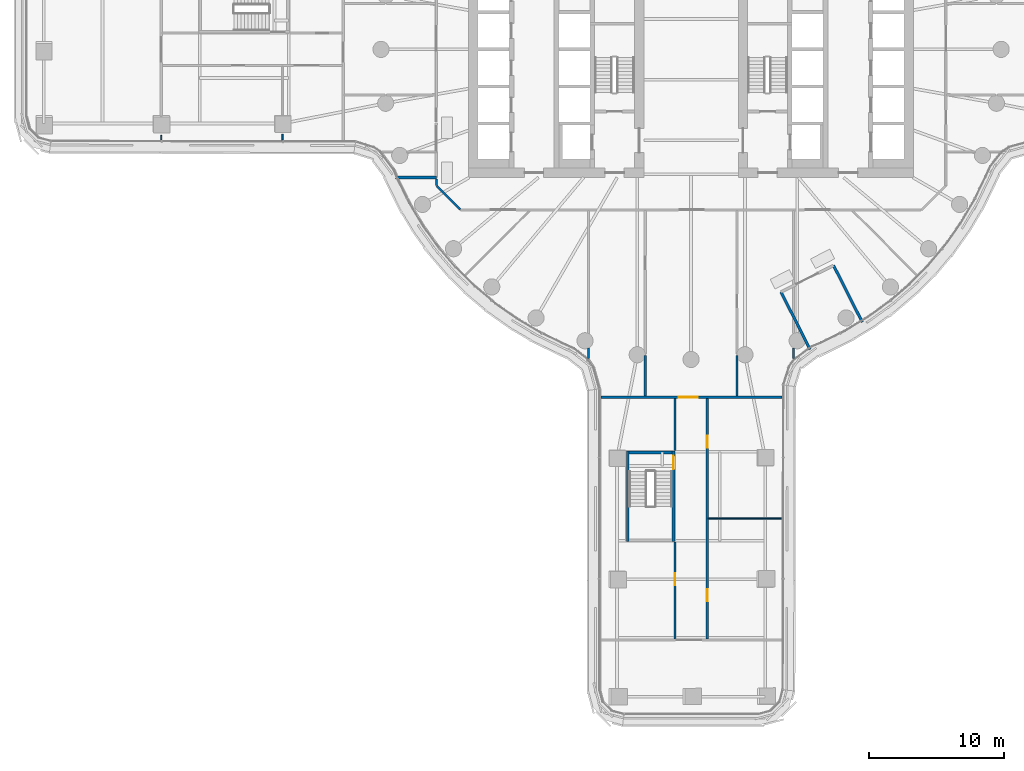
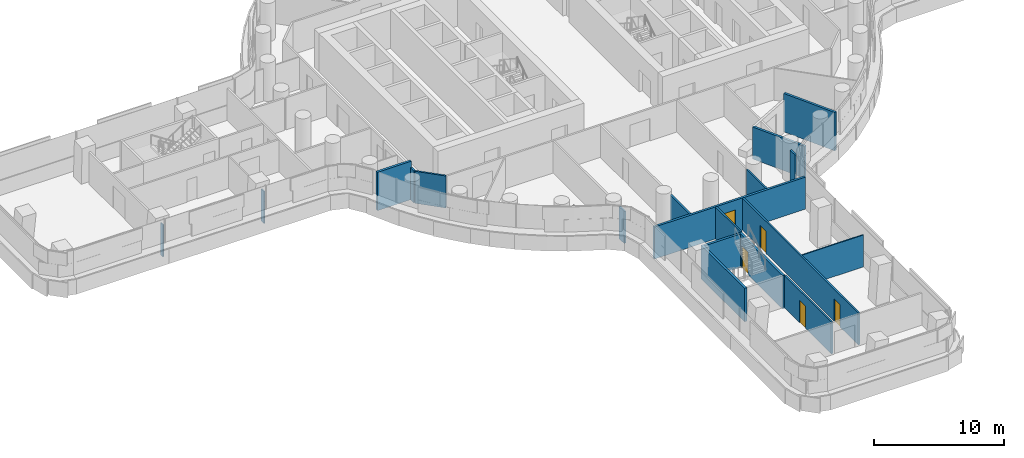
# One storey, part 19 of 32: 19 walls, 5 doors, 5 openings.
"""IFC4 building model written with IfcOpenShell, lengths in metres."""

from ifc_helpers import new_model, si_unit, direction, frame, frame_2d, origin, place, context, subcontext, project, spatial, rectangle, extrude, material, layer, layer_set, type_object, element, fill, save


model = new_model("IFC4")

# Units and contexts
model_context = context("Model", 3, precision=1e-05, world=origin(), true_north=direction((0.0, 1.0)))
body_context = subcontext(model_context, "Body", "Model", "MODEL_VIEW")
ifc_project = project(units=[si_unit("LENGTHUNIT", "METRE"), si_unit("AREAUNIT", "SQUARE_METRE"), si_unit("VOLUMEUNIT", "CUBIC_METRE"), si_unit("PLANEANGLEUNIT", "RADIAN"), si_unit("MASSUNIT", "GRAM", prefix="KILO")], contexts=[model_context])

# Site, building, storey
site_placement = place(None, origin())
site = spatial("IfcSite", under=ifc_project, at=site_placement, CompositionType="ELEMENT")
building_placement = place(site_placement, origin())
building = spatial("IfcBuilding", under=site, at=building_placement, Name="Tamarind Cross Interchange Tower", CompositionType="ELEMENT")
storey_placement = place(building_placement, frame((0.0, 0.0, 34.0)))
storey = spatial("IfcBuildingStorey", under=building, at=storey_placement, Name="L06", CompositionType="ELEMENT", Elevation=34.0)

# Walls
ifc_material_1 = material(Name="Concrete C40", Category="concrete")
ifc_layer_1 = layer(ifc_material_1, 0.199951171875)
ifc_layer_set_1 = layer_set([ifc_layer_1], Name="Concrete C40")
wall_type_1 = type_object("IfcWallType", Name="Balcony and garden door wall", PredefinedType="SOLIDWALL", material=ifc_layer_set_1)
wall_1_placement = place(storey_placement, frame((6.66943359375, -17.99365234375, 0.0), z_axis=(0.0, 0.0, 1.0), x_axis=(0.451625718362, -0.892207492971, 0.0)))
element("IfcWall", 1, at=wall_1_placement, inside=storey, type_object=wall_type_1, Name="EXW-L06-WG-L06-SE-R0", PredefinedType="SOLIDWALL", context=body_context, shape_type="SweptSolid", body=[
    extrude(rectangle(XDim=4.77490234375, YDim=0.199951171875, at=frame_2d((2.387451171875, 0.0))), origin(), (0.0, 0.0, 1.0), 3.013916015625),
])
wall_2_placement = place(storey_placement, frame((10.56591796875, -16.021484375, 0.0), z_axis=(0.0, 0.0, 1.0), x_axis=(0.451621797864, -0.892209477474, 0.0)))
element("IfcWall", 2, at=wall_2_placement, inside=storey, type_object=wall_type_1, Name="EXW-L06-WG-L06-SE-R1", PredefinedType="SOLIDWALL", context=body_context, shape_type="SweptSolid", body=[
    extrude(rectangle(XDim=4.712890625, YDim=0.199951171875, at=frame_2d((2.3564453125, 0.0))), origin(), (0.0, 0.0, 1.0), 3.610107421875),
])
wall_3_placement = place(storey_placement, frame((-18.89990234375, -9.5, 0.0), z_axis=(0.0, 0.0, 1.0), x_axis=(-1.0, 0.0, 0.0)))
element("IfcWall", 3, at=wall_3_placement, inside=storey, type_object=wall_type_1, Name="EXW-L06-WG-L06-WS-R0", PredefinedType="SOLIDWALL", context=body_context, shape_type="SweptSolid", body=[
    extrude(rectangle(XDim=3.027587890625, YDim=0.199951171875, at=frame_2d((1.513671875, 0.0))), origin(), (0.0, 0.0, 1.0), 3.610107421875),
])
ifc_material_2 = material(Name="Gypsum board partition on steel studs", Category="steel")
ifc_layer_2 = layer(ifc_material_2, 0.10009765625)
ifc_layer_set_2 = layer_set([ifc_layer_2], Name="Gypsum board partition on steel studs")
wall_type_2 = type_object("IfcWallType", Name="Partition 100 mm EI 90", PredefinedType="PARTITIONING", material=ifc_layer_set_2)
wall_4_placement = place(storey_placement, frame((1.260009765625, -34.800048828125, 0.0), z_axis=(0.0, 0.0, 1.0), x_axis=(1.0, 0.0, 0.0)))
element("IfcWall", 4, at=wall_4_placement, inside=storey, type_object=wall_type_2, Name="Partition L06-039", PredefinedType="PARTITIONING", context=body_context, shape_type="SweptSolid", body=[
    extrude(rectangle(XDim=5.4638671875, YDim=0.10009765625, at=frame_2d((2.73193359375, 0.0))), origin(), (0.0, 0.0, 1.0), 3.010009765625),
])
wall_5_placement = place(storey_placement, frame((-39.300048828125, -6.715087890625, 0.0), z_axis=(0.0, 0.0, 1.0), x_axis=(0.0, 1.0, 0.0)))
element("IfcWall", 5, at=wall_5_placement, inside=storey, type_object=wall_type_2, Name="Partition L06-044", PredefinedType="PARTITIONING", context=body_context, shape_type="SweptSolid", body=[
    extrude(rectangle(XDim=0.341796875, YDim=0.10009765625, at=frame_2d((0.1708984375, 0.0))), origin(), (0.0, 0.0, 1.0), 3.010009765625),
])
wall_6_placement = place(storey_placement, frame((-30.300048828125, -6.73291015625, 0.0), z_axis=(0.0, 0.0, 1.0), x_axis=(0.0, 1.0, 0.0)))
element("IfcWall", 6, at=wall_6_placement, inside=storey, type_object=wall_type_2, Name="Partition L06-047", PredefinedType="PARTITIONING", context=body_context, shape_type="SweptSolid", body=[
    extrude(rectangle(XDim=0.44140625, YDim=0.10009765625, at=frame_2d((0.220703125, 0.0))), origin(), (0.0, 0.0, 1.0), 3.010009765625),
])
ifc_layer_3 = layer(ifc_material_2, 0.14990234375)
ifc_layer_set_3 = layer_set([ifc_layer_3], Name="Gypsum board partition on steel studs")
wall_type_3 = type_object("IfcWallType", Name="Partition 150 mm EI 120", PredefinedType="PARTITIONING", material=ifc_layer_set_3)
wall_7_placement = place(storey_placement, frame((-18.87158203125, -10.12841796875, 0.0), z_axis=(0.0, 0.0, 1.0), x_axis=(0.707106781187, -0.707106781187, 0.0)))
element("IfcWall", 7, at=wall_7_placement, inside=storey, type_object=wall_type_3, Name="Partition L06-001", PredefinedType="PARTITIONING", context=body_context, shape_type="SweptSolid", body=[
    extrude(rectangle(XDim=2.465087890625, YDim=0.14990234375, at=frame_2d((1.232421875, 0.0))), origin(), (0.0, 0.0, 1.0), 3.010009765625),
])
wall_8_placement = place(storey_placement, frame((-18.89990234375, -10.10009765625, 0.0), z_axis=(0.0, 0.0, 1.0), x_axis=(0.0, 1.0, 0.0)))
element("IfcWall", 8, at=wall_8_placement, inside=storey, type_object=wall_type_3, Name="Partition L06-050", PredefinedType="PARTITIONING", context=body_context, shape_type="SweptSolid", body=[
    extrude(rectangle(XDim=0.500244140625, YDim=0.14990234375, at=frame_2d((0.25, 0.0))), origin(), (0.0, 0.0, 1.0), 3.010009765625),
])
wall_9_placement = place(storey_placement, frame((-7.60009765625, -22.920654296875, 0.0), z_axis=(0.0, 0.0, 1.0), x_axis=(0.0, 1.0, 0.0)))
element("IfcWall", 9, at=wall_9_placement, inside=storey, type_object=wall_type_3, Name="Partition L06-052", PredefinedType="PARTITIONING", context=body_context, shape_type="SweptSolid", body=[
    extrude(rectangle(XDim=0.76904296875, YDim=0.14990234375, at=frame_2d((0.384521484375, 0.0))), origin(), (0.0, 0.0, 1.0), 3.010009765625),
])
wall_10_placement = place(storey_placement, frame((-3.39990234375, -25.715087890625, 0.0), z_axis=(0.0, 0.0, 1.0), x_axis=(0.0, 1.0, 0.0)))
element("IfcWall", 10, at=wall_10_placement, inside=storey, type_object=wall_type_3, Name="Partition L06-057", PredefinedType="PARTITIONING", context=body_context, shape_type="SweptSolid", body=[
    extrude(rectangle(XDim=3.00439453125, YDim=0.14990234375, at=frame_2d((1.502197265625, 0.0))), origin(), (0.0, 0.0, 1.0), 3.010009765625),
])

# Wall, opening, door
wall_11_placement = place(storey_placement, frame((-1.199951171875, -43.739990234375, 0.0), z_axis=(0.0, 0.0, 1.0), x_axis=(0.0, 1.0, 0.0)))
wall_11 = element("IfcWall", 11, at=wall_11_placement, inside=storey, type_object=wall_type_3, Name="Partition L06-061", PredefinedType="PARTITIONING", context=body_context, shape_type="SweptSolid", body=[
    extrude(rectangle(XDim=7.199951171875, YDim=0.14990234375, at=frame_2d((3.60009765625, 0.0))), origin(), (0.0, 0.0, 1.0), 3.010009765625),
])
opening_1_placement = place(wall_11_placement, frame((3.989990234375, 0.0, 0.0)))
opening_1 = element("IfcOpeningElement", 12, at=opening_1_placement, cuts=wall_11, Name="Opening D26", PredefinedType="OPENING", context=body_context, shape_type="SweptSolid", body=[
    extrude(rectangle(XDim=0.89990234375, YDim=2.10009765625, at=frame_2d((0.449951171875, 1.050048828125))), frame((0.0, 0.0849609375, 0.0), z_axis=(0.0, -1.0, 0.0), x_axis=(1.0, 0.0, 0.0)), (0.0, 0.0, 1.0), 0.169921875),
])
ifc_material_3 = material(Name="Fire-resisting door set")
door_type_1 = type_object("IfcDoorType", Name="Interior door 900 x 2100 FD60S", OperationType="SINGLE_SWING_LEFT", PredefinedType="DOOR", material=ifc_material_3)
door_1_placement = place(opening_1_placement, origin())
door_1 = element("IfcDoor", 13, at=door_1_placement, inside=storey, type_object=door_type_1, Name="Door D26", OperationType="SINGLE_SWING_LEFT", OverallHeight=2.10009765625, OverallWidth=0.89990234375, PredefinedType="DOOR", context=body_context, shape_type="SweptSolid", body=[
    extrude(rectangle(XDim=0.89990234375, YDim=2.10009765625, at=frame_2d((0.449951171875, 1.050048828125))), frame((0.0, 0.02490234375, 0.0), z_axis=(0.0, -1.0, 0.0), x_axis=(1.0, 0.0, 0.0)), (0.0, 0.0, 1.0), 0.050048828125),
])
fill(opening_1, door_1)

# Wall
wall_12_placement = place(storey_placement, frame((-1.199951171875, -29.760009765625, 0.0), z_axis=(0.0, 0.0, 1.0), x_axis=(0.0, 1.0, 0.0)))
element("IfcWall", 14, at=wall_12_placement, inside=storey, type_object=wall_type_3, Name="Partition L06-062", PredefinedType="PARTITIONING", context=body_context, shape_type="SweptSolid", body=[
    extrude(rectangle(XDim=3.875, YDim=0.14990234375, at=frame_2d((1.9375, 0.0))), origin(), (0.0, 0.0, 1.0), 3.010009765625),
])

# Wall, openings, doors
wall_13_placement = place(storey_placement, frame((1.199951171875, -43.739990234375, 0.0), z_axis=(0.0, 0.0, 1.0), x_axis=(0.0, 1.0, 0.0)))
wall_13 = element("IfcWall", 15, at=wall_13_placement, inside=storey, type_object=wall_type_3, Name="Partition L06-064", PredefinedType="PARTITIONING", context=body_context, shape_type="SweptSolid", body=[
    extrude(rectangle(XDim=17.85498046875, YDim=0.14990234375, at=frame_2d((8.927490234375, 0.0))), origin(), (0.0, 0.0, 1.0), 3.010009765625),
])
opening_2_placement = place(wall_13_placement, frame((14.18994140625, 0.0, 0.0)))
opening_2 = element("IfcOpeningElement", 16, at=opening_2_placement, cuts=wall_13, Name="Opening D30", PredefinedType="OPENING", context=body_context, shape_type="SweptSolid", body=[
    extrude(rectangle(XDim=0.89990234375, YDim=2.10009765625, at=frame_2d((0.449951171875, 1.050048828125))), frame((0.0, 0.0849609375, 0.0), z_axis=(0.0, -1.0, 0.0), x_axis=(1.0, 0.0, 0.0)), (0.0, 0.0, 1.0), 0.169921875),
])
opening_3_placement = place(wall_13_placement, frame((2.7900390625, 0.0, 0.0)))
opening_3 = element("IfcOpeningElement", 17, at=opening_3_placement, cuts=wall_13, Name="Opening D31", PredefinedType="OPENING", context=body_context, shape_type="SweptSolid", body=[
    extrude(rectangle(XDim=0.89990234375, YDim=2.10009765625, at=frame_2d((0.449951171875, 1.050048828125))), frame((0.0, 0.0849609375, 0.0), z_axis=(0.0, -1.0, 0.0), x_axis=(1.0, 0.0, 0.0)), (0.0, 0.0, 1.0), 0.169921875),
])
door_2_placement = place(opening_2_placement, frame((0.89990234375, 0.0, 0.0), z_axis=(0.0, 0.0, 1.0), x_axis=(-1.0, 0.0, 0.0)))
door_2 = element("IfcDoor", 18, at=door_2_placement, inside=storey, type_object=door_type_1, Name="Door D30", OperationType="SINGLE_SWING_RIGHT", OverallHeight=2.10009765625, OverallWidth=0.89990234375, PredefinedType="DOOR", context=body_context, shape_type="SweptSolid", body=[
    extrude(rectangle(XDim=0.89990234375, YDim=2.10009765625, at=frame_2d((0.449951171875, 1.050048828125))), frame((0.0, 0.02490234375, 0.0), z_axis=(0.0, -1.0, 0.0), x_axis=(1.0, 0.0, 0.0)), (0.0, 0.0, 1.0), 0.050048828125),
])
fill(opening_2, door_2)
door_3_placement = place(opening_3_placement, frame((0.89990234375, 0.0, 0.0), z_axis=(0.0, 0.0, 1.0), x_axis=(-1.0, 0.0, 0.0)))
door_3 = element("IfcDoor", 19, at=door_3_placement, inside=storey, type_object=door_type_1, Name="Door D31", OperationType="SINGLE_SWING_LEFT", OverallHeight=2.10009765625, OverallWidth=0.89990234375, PredefinedType="DOOR", context=body_context, shape_type="SweptSolid", body=[
    extrude(rectangle(XDim=0.89990234375, YDim=2.10009765625, at=frame_2d((0.449951171875, 1.050048828125))), frame((0.0, 0.02490234375, 0.0), z_axis=(0.0, -1.0, 0.0), x_axis=(1.0, 0.0, 0.0)), (0.0, 0.0, 1.0), 0.050048828125),
])
fill(opening_3, door_3)

# Walls
wall_14_placement = place(storey_placement, frame((3.39990234375, -25.715087890625, 0.0), z_axis=(0.0, 0.0, 1.0), x_axis=(0.0, 1.0, 0.0)))
element("IfcWall", 20, at=wall_14_placement, inside=storey, type_object=wall_type_3, Name="Partition L06-068", PredefinedType="PARTITIONING", context=body_context, shape_type="SweptSolid", body=[
    extrude(rectangle(XDim=3.00439453125, YDim=0.14990234375, at=frame_2d((1.502197265625, 0.0))), origin(), (0.0, 0.0, 1.0), 3.010009765625),
])
wall_15_placement = place(storey_placement, frame((7.60009765625, -22.921875, 0.0), z_axis=(0.0, 0.0, 1.0), x_axis=(0.0, 1.0, 0.0)))
element("IfcWall", 21, at=wall_15_placement, inside=storey, type_object=wall_type_3, Name="Partition L06-072", PredefinedType="PARTITIONING", context=body_context, shape_type="SweptSolid", body=[
    extrude(rectangle(XDim=0.770263671875, YDim=0.14990234375, at=frame_2d((0.38525390625, 0.0))), origin(), (0.0, 0.0, 1.0), 3.010009765625),
])

# Wall, opening, door
ifc_layer_4 = layer(ifc_material_2, 0.199951171875)
ifc_layer_set_4 = layer_set([ifc_layer_4], Name="Gypsum board partition on steel studs")
wall_type_4 = type_object("IfcWallType", Name="Partition 200 mm EI 180", PredefinedType="PARTITIONING", material=ifc_layer_set_4)
wall_16_placement = place(storey_placement, frame((-6.698974609375, -25.800048828125, 0.0), z_axis=(0.0, 0.0, 1.0), x_axis=(1.0, 0.0, 0.0)))
wall_16 = element("IfcWall", 22, at=wall_16_placement, inside=storey, type_object=wall_type_4, Name="Partition L06-032", PredefinedType="PARTITIONING", context=body_context, shape_type="SweptSolid", body=[
    extrude(rectangle(XDim=13.440673828125, YDim=0.199951171875, at=frame_2d((6.72021484375, 0.0))), origin(), (0.0, 0.0, 1.0), 3.010009765625),
])
opening_4_placement = place(wall_16_placement, frame((5.799072265625, 0.0, 0.0)))
opening_4 = element("IfcOpeningElement", 23, at=opening_4_placement, cuts=wall_16, Name="Opening D16", PredefinedType="OPENING", context=body_context, shape_type="SweptSolid", body=[
    extrude(rectangle(XDim=1.39990234375, YDim=2.10009765625, at=frame_2d((0.699951171875, 1.050048828125))), frame((0.0, 0.10986328125, 0.0), z_axis=(0.0, -1.0, 0.0), x_axis=(1.0, 0.0, 0.0)), (0.0, 0.0, 1.0), 0.219970703125),
])
door_type_2 = type_object("IfcDoorType", Name="Interior door 1400 x 2100 FD120S", OperationType="DOUBLE_DOOR_SINGLE_SWING", PredefinedType="DOOR", material=ifc_material_3)
door_4_placement = place(opening_4_placement, origin())
door_4 = element("IfcDoor", 24, at=door_4_placement, inside=storey, type_object=door_type_2, Name="Door D16", OperationType="DOUBLE_DOOR_SINGLE_SWING", OverallHeight=2.10009765625, OverallWidth=1.39990234375, PredefinedType="DOOR", context=body_context, shape_type="SweptSolid", body=[
    extrude(rectangle(XDim=1.39990234375, YDim=2.10009765625, at=frame_2d((0.699951171875, 1.050048828125))), frame((0.0, 0.02490234375, 0.0), z_axis=(0.0, -1.0, 0.0), x_axis=(1.0, 0.0, 0.0)), (0.0, 0.0, 1.0), 0.050048828125),
])
fill(opening_4, door_4)

ifc_layer_5 = layer(ifc_material_1, 0.199951171875)
ifc_layer_set_5 = layer_set([ifc_layer_5], Name="Concrete C40")
wall_type_5 = type_object("IfcWallType", Name="Stair shaft wall 200 mm Concrete C40", PredefinedType="SHEAR", material=ifc_layer_set_5)
wall_17_placement = place(storey_placement, frame((-1.300048828125, -29.800048828125, -0.139892578125), z_axis=(0.0, 0.0, 1.0), x_axis=(0.0, -1.0, 0.0)))
wall_17 = element("IfcWall", 25, at=wall_17_placement, inside=storey, type_object=wall_type_5, Name="Core wall CWL-L06-ST6-H", PredefinedType="SHEAR", context=body_context, shape_type="SweptSolid", body=[
    extrude(rectangle(XDim=6.699951171875, YDim=0.199951171875, at=frame_2d((3.35009765625, 0.0))), origin(), (0.0, 0.0, 1.0), 3.14990234375),
])
opening_5_placement = place(wall_17_placement, frame((0.35009765625, 0.0, 0.0)))
opening_5 = element("IfcOpeningElement", 26, at=opening_5_placement, cuts=wall_17, Name="Opening ST6L06", PredefinedType="OPENING", context=body_context, shape_type="SweptSolid", body=[
    extrude(rectangle(XDim=1.0, YDim=2.10009765625, at=frame_2d((0.5, 1.050048828125))), frame((0.0, 0.10986328125, 0.0), z_axis=(0.0, -1.0, 0.0), x_axis=(1.0, 0.0, 0.0)), (0.0, 0.0, 1.0), 0.219970703125),
])
ifc_material_4 = material(Name="Steel, fire-resisting", Category="steel")
door_type_3 = type_object("IfcDoorType", Name="Core fire door 1000 x 2100 FD90", OperationType="SINGLE_SWING_LEFT", PredefinedType="DOOR", material=ifc_material_4)
door_5_placement = place(opening_5_placement, origin())
door_5 = element("IfcDoor", 27, at=door_5_placement, inside=storey, type_object=door_type_3, Name="L06 stair door ST6", OperationType="SINGLE_SWING_LEFT", OverallHeight=2.10009765625, OverallWidth=1.0, PredefinedType="DOOR", context=body_context, shape_type="SweptSolid", body=[
    extrude(rectangle(XDim=1.0, YDim=2.10009765625, at=frame_2d((0.5, 1.050048828125))), frame((0.0, 0.02490234375, 0.0), z_axis=(0.0, -1.0, 0.0), x_axis=(1.0, 0.0, 0.0)), (0.0, 0.0, 1.0), 0.050048828125),
])
fill(opening_5, door_5)

# Walls
wall_18_placement = place(storey_placement, frame((-4.699951171875, -29.800048828125, -0.139892578125), z_axis=(0.0, 0.0, 1.0), x_axis=(0.0, -1.0, 0.0)))
element("IfcWall", 28, at=wall_18_placement, inside=storey, type_object=wall_type_5, Name="Core wall CWL-L06-ST6-C", PredefinedType="SHEAR", context=body_context, shape_type="SweptSolid", body=[
    extrude(rectangle(XDim=6.699951171875, YDim=0.199951171875, at=frame_2d((3.35009765625, 0.0))), origin(), (0.0, 0.0, 1.0), 3.14990234375),
])
wall_19_placement = place(storey_placement, frame((-4.60009765625, -29.89990234375, -0.139892578125), z_axis=(0.0, 0.0, 1.0), x_axis=(1.0, 0.0, 0.0)))
element("IfcWall", 29, at=wall_19_placement, inside=storey, type_object=wall_type_5, Name="Core wall CWL-L06-ST6-CE", PredefinedType="SHEAR", context=body_context, shape_type="SweptSolid", body=[
    extrude(rectangle(XDim=3.2001953125, YDim=0.199951171875, at=frame_2d((1.60009765625, 0.0))), origin(), (0.0, 0.0, 1.0), 3.14990234375),
])

save(model, "model.ifc")
